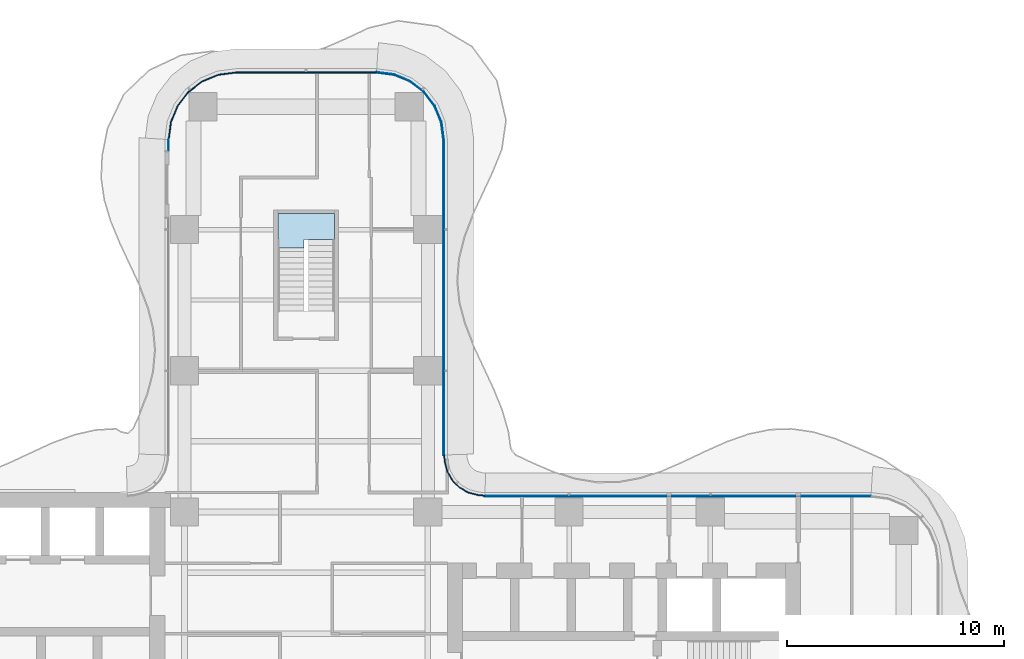
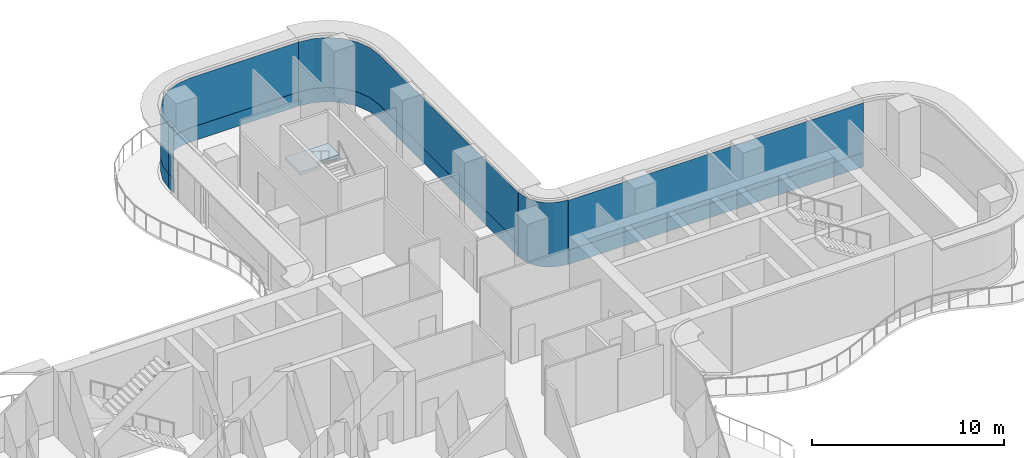
# One storey, part 16 of 22: 9 plates, 1 slab, 6 elements without a shape of their own.
"""IFC4 building model written with IfcOpenShell, lengths in metres."""

from ifc_helpers import new_model, si_unit, direction, frame, origin, place, context, subcontext, project, spatial, polyline, outline, extrude, source, transform, mapped, material, layer, layer_set, type_object, element, aggregate, save


model = new_model("IFC4")

# Units and contexts
model_context = context("Model", 3, precision=1e-05, world=origin(), true_north=direction((0.0, 1.0)))
body_context = subcontext(model_context, "Body", "Model", "MODEL_VIEW")
ifc_project = project(units=[si_unit("LENGTHUNIT", "METRE"), si_unit("AREAUNIT", "SQUARE_METRE"), si_unit("VOLUMEUNIT", "CUBIC_METRE"), si_unit("PLANEANGLEUNIT", "RADIAN"), si_unit("MASSUNIT", "GRAM", prefix="KILO")], contexts=[model_context])

# Site, building, storey
site_placement = place(None, origin())
site = spatial("IfcSite", under=ifc_project, at=site_placement, CompositionType="ELEMENT")
building_placement = place(site_placement, origin())
building = spatial("IfcBuilding", under=site, at=building_placement, Name="Trellis Farm Tower", CompositionType="ELEMENT")
storey_placement = place(building_placement, frame((0.0, 0.0, 124.5)))
storey = spatial("IfcBuildingStorey", under=building, at=storey_placement, Name="L26", CompositionType="ELEMENT", Elevation=124.5)

# Stair, slab
ifc_material_1 = material(Name="Concrete C50/60", Category="concrete")
stair_type = type_object("IfcStairType", Name="CORE EXIT STAIR 26 RISERS 173 MM", PredefinedType="HALF_TURN_STAIR", material=ifc_material_1)
placement_1 = place(storey_placement, origin())
stair = element("IfcStair", 1, at=placement_1, inside=storey, type_object=stair_type, Name="Exit stair N", PredefinedType="HALF_TURN_STAIR")
ifc_layer_1 = layer(ifc_material_1, 0.18994140625)
ifc_layer_set_1 = layer_set([ifc_layer_1], Name="CORE STAIR LANDING 190 CONCRETE C50/60")
slab_type = type_object("IfcSlabType", Name="CORE STAIR LANDING 190 CONCRETE C50/60", PredefinedType="LANDING", material=ifc_layer_set_1)
shared_shape_1 = source(origin(), body_context, "Body", "SweptSolid", [
    extrude(outline(polyline([(-0.10009765625, 17.753173828125), (-1.300048828125, 17.753173828125), (-1.300048828125, 18.14990234375), (-1.300048828125, 19.35009765625), (1.300048828125, 19.35009765625), (1.300048828125, 18.14990234375), (1.300048828125, 18.139892578125), (0.10009765625, 18.139892578125), (0.10009765625, 18.14990234375), (-0.10009765625, 18.14990234375), (-0.10009765625, 17.753173828125)])), origin(), (0.0, 0.0, 1.0), 0.18994140625),
])
slab_placement = place(storey_placement, frame((0.0, 0.0, 2.06005859375)))
slab = element("IfcSlab", 2, at=slab_placement, type_object=slab_type, Name="STN landing 1", PredefinedType="LANDING", context=body_context, shape_type="MappedRepresentation", body=[
    mapped(shared_shape_1, transform((0.0, 0.0, 0.0))),
])
aggregate(stair, [slab])

# Curtain wall, plate
ifc_material_2 = material(Name="Aluminium and glass curtain wall", Category="aluminium")
ifc_layer_2 = layer(ifc_material_2, 0.166015625)
ifc_layer_set_2 = layer_set([ifc_layer_2], Name="WINTER GARDEN CURTAIN WALL CW3")
curtain_wall_type_1 = type_object("IfcCurtainWallType", Name="WINTER GARDEN CURTAIN WALL CW3", PredefinedType="NOTDEFINED", material=ifc_layer_set_2)
curtain_wall_1 = element("IfcCurtainWall", 3, at=placement_1, inside=storey, type_object=curtain_wall_type_1, Name="CW3 003", PredefinedType="NOTDEFINED")
ifc_material_3 = material(Name="Clear insulated glass", Category="glass")
ifc_layer_3 = layer(ifc_material_3, 0.0458984375)
ifc_layer_set_3 = layer_set([ifc_layer_3], Name="CW3 GLASS PANEL 46")
plate_type_1 = type_object("IfcPlateType", Name="CW3 GLASS PANEL 46", PredefinedType="CURTAIN_PANEL", material=ifc_layer_set_3)
shared_shape_2 = source(origin(), body_context, "Body", "SweptSolid", [
    extrude(outline(polyline([(8.2275390625, 6.3798828125), (8.0078125, 6.394287109375), (7.89208984375, 6.40966796875), (7.462158203125, 6.52490234375), (7.070556640625, 6.7509765625), (6.7509765625, 7.070556640625), (6.52490234375, 7.462158203125), (6.40966796875, 7.89208984375), (6.394287109375, 8.0078125), (6.3798828125, 8.2275390625), (6.333984375, 8.22607421875), (6.3486328125, 8.003173828125), (6.364501953125, 7.883056640625), (6.48193359375, 7.4443359375), (6.714111328125, 7.04248046875), (7.04248046875, 6.714111328125), (7.4443359375, 6.48193359375), (7.883056640625, 6.364501953125), (8.003173828125, 6.3486328125), (8.22607421875, 6.333984375), (8.2275390625, 6.3798828125)])), origin(), (0.0, 0.0, 1.0), 4.10009765625),
])
plate_1 = element("IfcPlate", 4, at=placement_1, type_object=plate_type_1, Name="PL3 003", PredefinedType="CURTAIN_PANEL", context=body_context, shape_type="MappedRepresentation", body=[
    mapped(shared_shape_2, transform((0.0, 0.0, 0.0))),
])
aggregate(curtain_wall_1, [plate_1])

# Curtain wall, plates
ifc_layer_4 = layer(ifc_material_2, 0.18994140625)
ifc_layer_set_4 = layer_set([ifc_layer_4], Name="RIBBON CURTAIN WALL CW1")
curtain_wall_type_2 = type_object("IfcCurtainWallType", Name="RIBBON CURTAIN WALL CW1", PredefinedType="NOTDEFINED", material=ifc_layer_set_4)
curtain_wall_2 = element("IfcCurtainWall", 5, at=placement_1, inside=storey, type_object=curtain_wall_type_2, Name="CW1 009", PredefinedType="NOTDEFINED")
ifc_layer_5 = layer(ifc_material_3, 0.0400390625)
ifc_layer_set_5 = layer_set([ifc_layer_5], Name="CW1 GLASS PANEL 40")
plate_type_2 = type_object("IfcPlateType", Name="CW1 GLASS PANEL 40", PredefinedType="CURTAIN_PANEL", material=ifc_layer_set_5)
shared_shape_3 = source(origin(), body_context, "Body", "SweptSolid", [
    extrude(outline(polyline([(6.35009765625, 8.2265625), (6.35009765625, 22.740234375), (6.2431640625, 23.552001953125), (5.93359375, 24.29931640625), (5.441162109375, 24.941162109375), (4.79931640625, 25.43359375), (4.052001953125, 25.7431640625), (3.240234375, 25.85009765625), (3.237548828125, 25.81005859375), (4.04150390625, 25.7041015625), (4.779296875, 25.398681640625), (5.41259765625, 24.91259765625), (5.898681640625, 24.279296875), (6.2041015625, 23.54150390625), (6.31005859375, 22.737548828125), (6.31005859375, 8.22509765625), (6.35009765625, 8.2265625)])), origin(), (0.0, 0.0, 1.0), 3.170166015625),
])
placement_2 = place(storey_placement, frame((0.0, 0.0, 0.89990234375)))
plate_2 = element("IfcPlate", 6, at=placement_2, type_object=plate_type_2, Name="PL1 009", PredefinedType="CURTAIN_PANEL", context=body_context, shape_type="MappedRepresentation", body=[
    mapped(shared_shape_3, transform((0.0, 0.0, 0.0))),
])
ifc_material_4 = material(Name="Sandstone faced insulated panel", Category="masonry")
ifc_layer_6 = layer(ifc_material_4, 0.050048828125)
ifc_layer_set_6 = layer_set([ifc_layer_6], Name="CW1 STONE SPANDREL PANEL 50")
plate_type_3 = type_object("IfcPlateType", Name="CW1 STONE SPANDREL PANEL 50", PredefinedType="CURTAIN_PANEL", material=ifc_layer_set_6)
shared_shape_4 = source(origin(), body_context, "Body", "SweptSolid", [
    extrude(outline(polyline([(6.35009765625, 8.2265625), (6.35009765625, 22.740234375), (6.2431640625, 23.552001953125), (5.93359375, 24.29931640625), (5.441162109375, 24.941162109375), (4.79931640625, 25.43359375), (4.052001953125, 25.7431640625), (3.240234375, 25.85009765625), (3.23681640625, 25.800048828125), (4.0390625, 25.6943359375), (4.774169921875, 25.389892578125), (5.405517578125, 24.905517578125), (5.889892578125, 24.274169921875), (6.1943359375, 23.5390625), (6.300048828125, 22.73681640625), (6.300048828125, 8.224853515625), (6.35009765625, 8.2265625)])), origin(), (0.0, 0.0, 1.0), 0.89990234375),
])
plate_3 = element("IfcPlate", 7, at=placement_1, type_object=plate_type_3, Name="PS1 009", PredefinedType="CURTAIN_PANEL", context=body_context, shape_type="MappedRepresentation", body=[
    mapped(shared_shape_4, transform((0.0, 0.0, 0.0))),
])
aggregate(curtain_wall_2, [plate_2, plate_3])

curtain_wall_3 = element("IfcCurtainWall", 8, at=placement_1, inside=storey, type_object=curtain_wall_type_2, Name="CW1 010", PredefinedType="NOTDEFINED")
shared_shape_5 = source(origin(), body_context, "Body", "SweptSolid", [
    extrude(outline(polyline([(3.240234375, 25.85009765625), (-3.240234375, 25.85009765625), (-4.052001953125, 25.7431640625), (-4.79931640625, 25.43359375), (-5.441162109375, 24.941162109375), (-5.93359375, 24.29931640625), (-6.2431640625, 23.552001953125), (-6.35009765625, 22.740234375), (-6.31005859375, 22.737548828125), (-6.2041015625, 23.54150390625), (-5.898681640625, 24.279296875), (-5.41259765625, 24.91259765625), (-4.779296875, 25.398681640625), (-4.04150390625, 25.7041015625), (-3.237548828125, 25.81005859375), (3.237548828125, 25.81005859375), (3.240234375, 25.85009765625)])), origin(), (0.0, 0.0, 1.0), 3.170166015625),
])
plate_4 = element("IfcPlate", 9, at=placement_2, type_object=plate_type_2, Name="PL1 010", PredefinedType="CURTAIN_PANEL", context=body_context, shape_type="MappedRepresentation", body=[
    mapped(shared_shape_5, transform((0.0, 0.0, 0.0))),
])
shared_shape_6 = source(origin(), body_context, "Body", "SweptSolid", [
    extrude(outline(polyline([(3.240234375, 25.85009765625), (-3.240234375, 25.85009765625), (-4.052001953125, 25.7431640625), (-4.79931640625, 25.43359375), (-5.441162109375, 24.941162109375), (-5.93359375, 24.29931640625), (-6.2431640625, 23.552001953125), (-6.35009765625, 22.740234375), (-6.300048828125, 22.73681640625), (-6.1943359375, 23.5390625), (-5.889892578125, 24.274169921875), (-5.405517578125, 24.905517578125), (-4.774169921875, 25.389892578125), (-4.0390625, 25.6943359375), (-3.23681640625, 25.800048828125), (3.23681640625, 25.800048828125), (3.240234375, 25.85009765625)])), origin(), (0.0, 0.0, 1.0), 0.89990234375),
])
plate_5 = element("IfcPlate", 10, at=placement_1, type_object=plate_type_3, Name="PS1 010", PredefinedType="CURTAIN_PANEL", context=body_context, shape_type="MappedRepresentation", body=[
    mapped(shared_shape_6, transform((0.0, 0.0, 0.0))),
])
aggregate(curtain_wall_3, [plate_4, plate_5])

curtain_wall_4 = element("IfcCurtainWall", 11, at=placement_1, inside=storey, type_object=curtain_wall_type_2, Name="CW1 008", PredefinedType="NOTDEFINED")
shared_shape_7 = source(origin(), body_context, "Body", "SweptSolid", [
    extrude(outline(polyline([(25.990234375, 6.35009765625), (8.2265625, 6.35009765625), (8.22509765625, 6.31005859375), (25.987548828125, 6.31005859375), (25.990234375, 6.35009765625)])), origin(), (0.0, 0.0, 1.0), 3.170166015625),
])
plate_6 = element("IfcPlate", 12, at=placement_2, type_object=plate_type_2, Name="PL1 008", PredefinedType="CURTAIN_PANEL", context=body_context, shape_type="MappedRepresentation", body=[
    mapped(shared_shape_7, transform((0.0, 0.0, 0.0))),
])
shared_shape_8 = source(origin(), body_context, "Body", "SweptSolid", [
    extrude(outline(polyline([(25.990234375, 6.35009765625), (8.2265625, 6.35009765625), (8.224853515625, 6.300048828125), (25.98681640625, 6.300048828125), (25.990234375, 6.35009765625)])), origin(), (0.0, 0.0, 1.0), 0.89990234375),
])
plate_7 = element("IfcPlate", 13, at=placement_1, type_object=plate_type_3, Name="PS1 008", PredefinedType="CURTAIN_PANEL", context=body_context, shape_type="MappedRepresentation", body=[
    mapped(shared_shape_8, transform((0.0, 0.0, 0.0))),
])
aggregate(curtain_wall_4, [plate_6, plate_7])

curtain_wall_5 = element("IfcCurtainWall", 14, at=placement_1, inside=storey, type_object=curtain_wall_type_2, Name="CW1 011", PredefinedType="NOTDEFINED")
shared_shape_9 = source(origin(), body_context, "Body", "SweptSolid", [
    extrude(outline(polyline([(-6.35009765625, 22.740234375), (-6.35009765625, 22.235107421875), (-6.31005859375, 22.235107421875), (-6.31005859375, 22.737548828125), (-6.35009765625, 22.740234375)])), origin(), (0.0, 0.0, 1.0), 3.170166015625),
])
plate_8 = element("IfcPlate", 15, at=placement_2, type_object=plate_type_2, Name="PL1 011", PredefinedType="CURTAIN_PANEL", context=body_context, shape_type="MappedRepresentation", body=[
    mapped(shared_shape_9, transform((0.0, 0.0, 0.0))),
])
shared_shape_10 = source(origin(), body_context, "Body", "SweptSolid", [
    extrude(outline(polyline([(-6.35009765625, 22.740234375), (-6.35009765625, 22.235107421875), (-6.300048828125, 22.235107421875), (-6.300048828125, 22.73681640625), (-6.35009765625, 22.740234375)])), origin(), (0.0, 0.0, 1.0), 0.89990234375),
])
plate_9 = element("IfcPlate", 16, at=placement_1, type_object=plate_type_3, Name="PS1 011", PredefinedType="CURTAIN_PANEL", context=body_context, shape_type="MappedRepresentation", body=[
    mapped(shared_shape_10, transform((0.0, 0.0, 0.0))),
])
aggregate(curtain_wall_5, [plate_8, plate_9])

save(model, "model.ifc")
